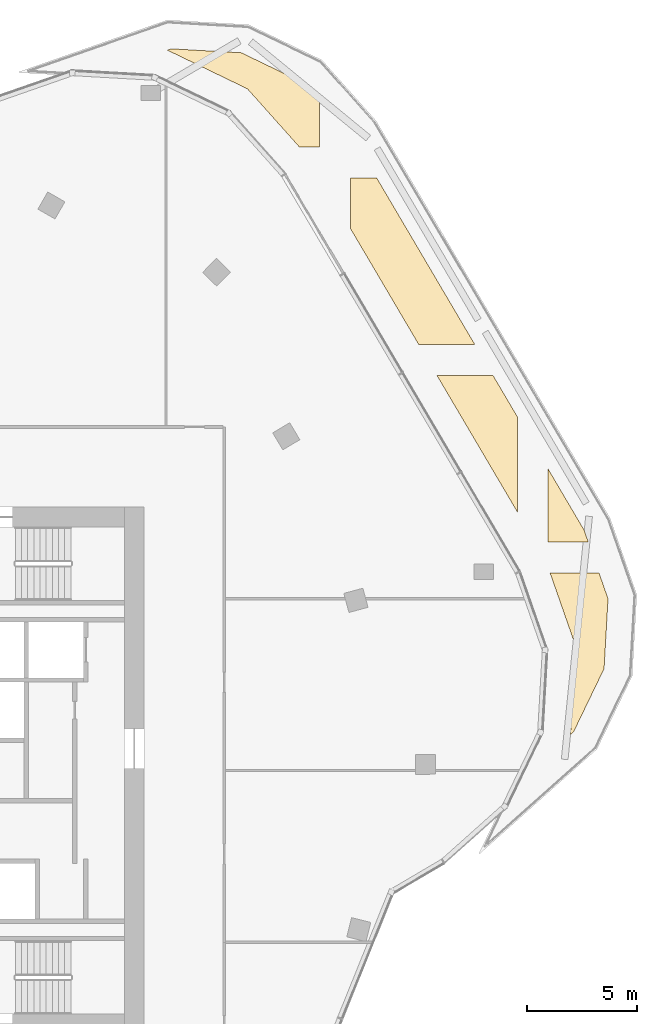
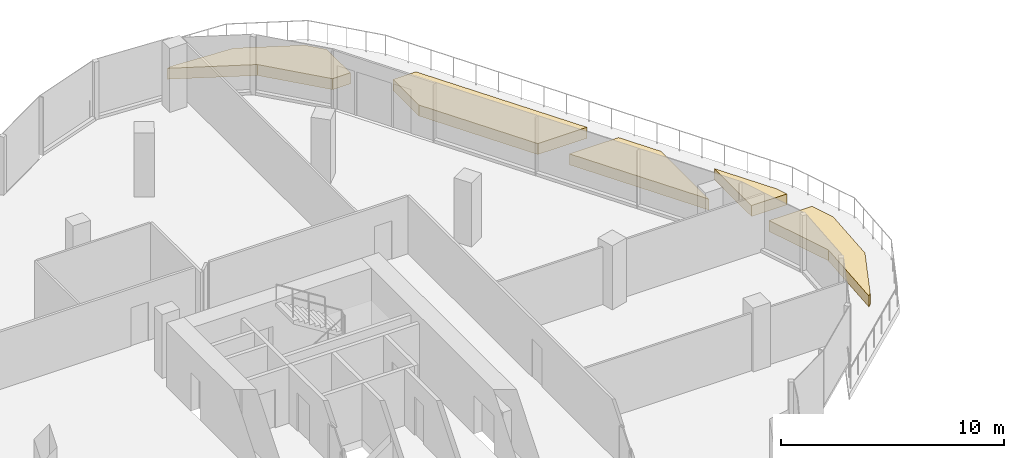
# One storey, part 17 of 17: 5 coverings.
"""IFC4 building model written with IfcOpenShell, lengths in metres."""

from ifc_helpers import new_model, si_unit, direction, frame, origin, place, context, subcontext, project, spatial, polyline, outline, extrude, material, layer, layer_set, type_object, element, save


model = new_model("IFC4")

# Units and contexts
model_context = context("Model", 3, precision=1e-05, world=origin(), true_north=direction((0.0, 1.0)))
body_context = subcontext(model_context, "Body", "Model", "MODEL_VIEW")
ifc_project = project(units=[si_unit("LENGTHUNIT", "METRE"), si_unit("AREAUNIT", "SQUARE_METRE"), si_unit("VOLUMEUNIT", "CUBIC_METRE"), si_unit("PLANEANGLEUNIT", "RADIAN"), si_unit("MASSUNIT", "GRAM", prefix="KILO")], contexts=[model_context])

# Site, building, storey
site_placement = place(None, origin())
site = spatial("IfcSite", under=ifc_project, at=site_placement, CompositionType="ELEMENT")
building_placement = place(site_placement, origin())
building = spatial("IfcBuilding", under=site, at=building_placement, Name="Orlundy Tower", CompositionType="ELEMENT")
storey_placement = place(building_placement, frame((0.0, 0.0, 289.39990234375)))
storey = spatial("IfcBuildingStorey", under=building, at=storey_placement, Name="L77", CompositionType="ELEMENT", Elevation=289.39990234375)

# Coverings
ifc_material = material(Name="Planted soil in precast concrete trough", Category="concrete")
ifc_layer = layer(ifc_material, 0.60009765625)
ifc_layer_set = layer_set([ifc_layer], Name="PLANTER box")
covering_type = type_object("IfcCoveringType", Name="PLANTER box", PredefinedType="USERDEFINED", material=ifc_layer_set)
covering_1_placement = place(storey_placement, origin())
element("IfcCovering", 1, at=covering_1_placement, inside=storey, type_object=covering_type, Name="PLANTER L77-00", ObjectType="PLANTER", PredefinedType="USERDEFINED", context=body_context, shape_type="SweptSolid", body=[
    extrude(outline(polyline([(26.301025390625, 31.30908203125), (27.0, 30.52587890625), (27.0, 28.39990234375), (26.077880859375, 28.39990234375), (23.7099609375, 31.051025390625), (20.06298828125, 32.81201171875), (20.242919921875, 32.875), (23.427978515625, 32.695068359375), (26.301025390625, 31.30908203125)])), origin(), (0.0, 0.0, 1.0), 0.60009765625),
])
covering_2_placement = place(storey_placement, origin())
element("IfcCovering", 2, at=covering_2_placement, inside=storey, type_object=covering_type, Name="PLANTER L77-01", ObjectType="PLANTER", PredefinedType="USERDEFINED", context=body_context, shape_type="SweptSolid", body=[
    extrude(outline(polyline([(34.068115234375, 19.39990234375), (31.514892578125, 19.39990234375), (28.39990234375, 24.68798828125), (28.39990234375, 27.0), (29.591064453125, 27.0), (34.068115234375, 19.39990234375)])), origin(), (0.0, 0.0, 1.0), 0.60009765625),
])
covering_3_placement = place(storey_placement, origin())
element("IfcCovering", 3, at=covering_3_placement, inside=storey, type_object=covering_type, Name="PLANTER L77-02", ObjectType="PLANTER", PredefinedType="USERDEFINED", context=body_context, shape_type="SweptSolid", body=[
    extrude(outline(polyline([(36.0, 16.118896484375), (36.0, 11.784912109375), (32.339111328125, 18.0), (34.89208984375, 18.0), (36.0, 16.118896484375)])), origin(), (0.0, 0.0, 1.0), 0.60009765625),
])
covering_4_placement = place(storey_placement, origin())
element("IfcCovering", 4, at=covering_4_placement, inside=storey, type_object=covering_type, Name="PLANTER L77-03", ObjectType="PLANTER", PredefinedType="USERDEFINED", context=body_context, shape_type="SweptSolid", body=[
    extrude(outline(polyline([(39.0400390625, 10.9580078125), (39.235107421875, 10.39990234375), (37.39990234375, 10.39990234375), (37.39990234375, 13.741943359375), (39.0400390625, 10.9580078125)])), origin(), (0.0, 0.0, 1.0), 0.60009765625),
])
covering_5_placement = place(storey_placement, origin())
element("IfcCovering", 5, at=covering_5_placement, inside=storey, type_object=covering_type, Name="PLANTER L77-04", ObjectType="PLANTER", PredefinedType="USERDEFINED", context=body_context, shape_type="SweptSolid", body=[
    extrude(outline(polyline([(40.134033203125, 7.824951171875), (39.9541015625, 4.639892578125), (38.568115234375, 1.76708984375), (38.424072265625, 1.638916015625), (38.653076171875, 5.68408203125), (37.4951171875, 9.0), (39.72412109375, 9.0), (40.134033203125, 7.824951171875)])), origin(), (0.0, 0.0, 1.0), 0.60009765625),
])

save(model, "model.ifc")
